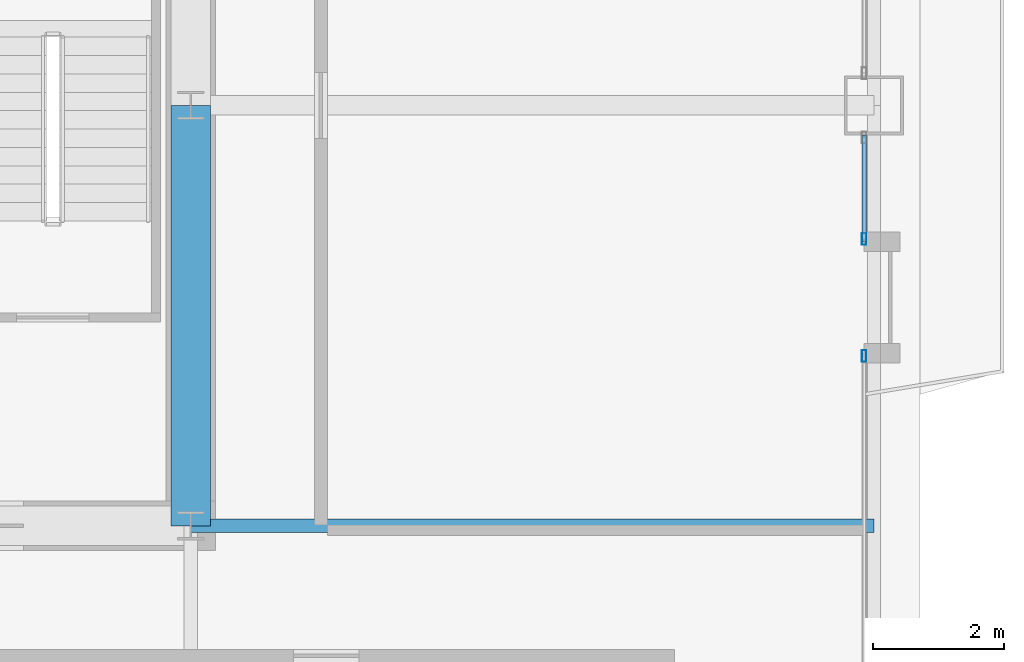
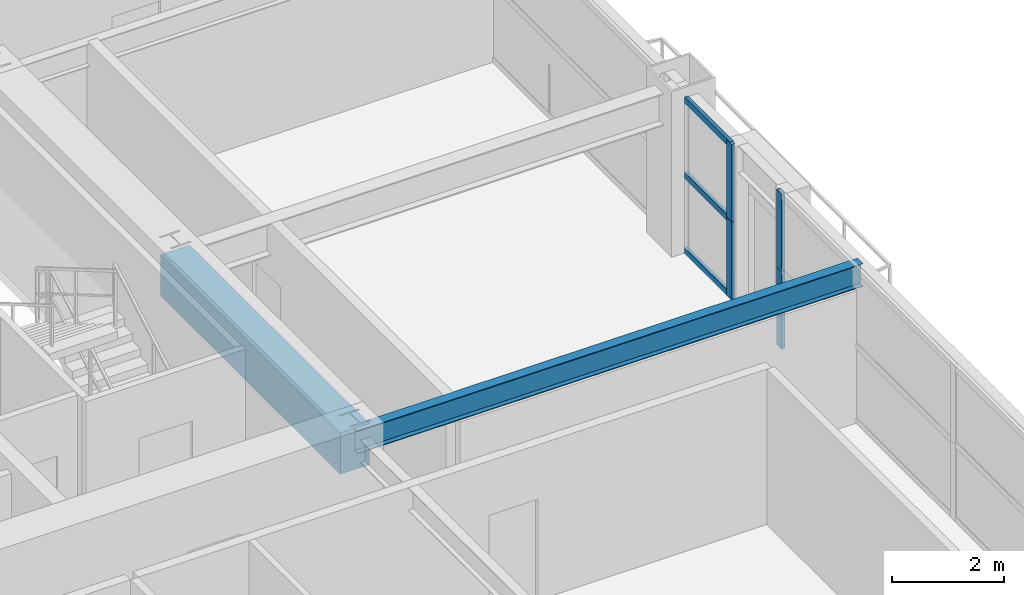
# One storey, part 21 of 43: 7 members, 2 beams, 2 elements without a shape of their own.
"""IFC4 building model written with IfcOpenShell, lengths in metres."""

import ifcopenshell
import ifcopenshell.guid

model = None  # the IFC model being written
_history = None  # IfcOwnerHistory: only IFC2X3 demands one
_inside = {}  # id of a spatial element -> (the spatial element, [elements in it])
_under = {}  # id of a project, library or spatial element -> (it, [spatial elements below it])
_declared = {}  # id of a project -> (the project, [libraries it declares])
_typed = {}  # id of a type object -> (the type object, [elements of that type])
_made_of = {}  # id of a material, layer set ... -> (it, [elements and type objects made of it])


def new_model(schema):
    """Start an empty IFC model of exactly this schema.

    Asked for "IFC4X3", IfcOpenShell would pick the latest addendum, in which some entities
    have other attributes; the version numbers below select the first issue.
    IFC2X3 requires an IfcOwnerHistory on every rooted entity: one is made here for all.
    """
    global model, _history
    if schema == "IFC4X3":
        model = ifcopenshell.file(schema_version=(4, 3, 0, 0))
    else:
        model = ifcopenshell.file(schema=schema)
    _inside.clear()
    _under.clear()
    _declared.clear()
    _typed.clear()
    _made_of.clear()
    _history = None
    if model.schema == "IFC2X3":
        org = make("IfcOrganization", Name="unknown")
        user = make(
            "IfcPersonAndOrganization",
            ThePerson=make("IfcPerson", FamilyName="unknown"),
            TheOrganization=org,
        )
        app = make(
            "IfcApplication",
            ApplicationDeveloper=org,
            Version="unknown",
            ApplicationFullName="unknown",
            ApplicationIdentifier="unknown",
        )
        _history = make(
            "IfcOwnerHistory",
            OwningUser=user,
            OwningApplication=app,
            ChangeAction="ADDED",
            CreationDate=0,
        )
    return model


def make(cls, **values):
    """One entity of the class cls with the attributes given. An attribute that is None is left unset."""
    return model.create_entity(
        cls, **{name: value for name, value in values.items() if value is not None}
    )


def rooted(cls, **values):
    """An entity with a GlobalId (a new one), such as an element, a storey or a relation."""
    return make(cls, GlobalId=ifcopenshell.guid.new(), OwnerHistory=_history, **values)


def si_unit(unit_type, name, prefix=None):
    """IfcSIUnit, for example si_unit("LENGTHUNIT", "METRE", prefix="MILLI")."""
    return make("IfcSIUnit", UnitType=unit_type, Prefix=prefix, Name=name)


def assignment(units):
    """IfcUnitAssignment: the units of a project."""
    return None if units is None else make("IfcUnitAssignment", Units=units)


def point(xyz):
    """IfcCartesianPoint."""
    return None if xyz is None else make("IfcCartesianPoint", Coordinates=xyz)


def direction(xyz):
    """IfcDirection."""
    return None if xyz is None else make("IfcDirection", DirectionRatios=xyz)


def frame(location, z_axis=None, x_axis=None):
    """IfcAxis2Placement3D, a coordinate frame: its origin and axes. An axis left out is left unset."""
    return make(
        "IfcAxis2Placement3D",
        Location=point(location),
        Axis=direction(z_axis),
        RefDirection=direction(x_axis),
    )


def frame_2d(location, x_axis=None):
    """IfcAxis2Placement2D, a coordinate frame in the plane: its origin and x axis."""
    return make(
        "IfcAxis2Placement2D", Location=point(location), RefDirection=direction(x_axis)
    )


def origin():
    """The frame at (0, 0, 0) with its axes left unset."""
    return frame((0.0, 0.0, 0.0))


def origin_2d():
    """The frame at (0, 0) in the plane with its x axis left unset."""
    return frame_2d((0.0, 0.0))


def place(relative_to, where):
    """IfcLocalPlacement: puts the frame where relative to a parent placement (None: the world)."""
    return make(
        "IfcLocalPlacement", PlacementRelTo=relative_to, RelativePlacement=where
    )


def context(
    kind, dimensions, precision=None, world=None, true_north=None, identifier=None
):
    """IfcGeometricRepresentationContext, for example the 3D "Model" context."""
    return make(
        "IfcGeometricRepresentationContext",
        ContextIdentifier=identifier,
        ContextType=kind,
        CoordinateSpaceDimension=dimensions,
        Precision=precision,
        WorldCoordinateSystem=world,
        TrueNorth=true_north,
    )


def subcontext(parent, identifier, kind, view, scale=None):
    """IfcGeometricRepresentationSubContext, for example "Body" below "Model"."""
    return make(
        "IfcGeometricRepresentationSubContext",
        ContextIdentifier=identifier,
        ContextType=kind,
        ParentContext=parent,
        TargetScale=scale,
        TargetView=view,
    )


def project(units=None, contexts=None):
    """IfcProject with its units and contexts."""
    return rooted(
        "IfcProject",
        Name="project",
        RepresentationContexts=contexts,
        UnitsInContext=assignment(units),
    )


def spatial(cls, under=None, at=None, **own):
    """A site, building, storey or space (cls), placed at a placement, below another one or the project."""
    s = rooted(cls, ObjectPlacement=at, **own)
    if under is not None:
        _under.setdefault(under.id(), (under, []))[1].append(s)
    return s


def profile(cls, at=None, kind="AREA", **sizes):
    """A parametric profile (cls). Its sizes go by their IFC names, for example OverallWidth=200.0."""
    return make(cls, ProfileType=kind, Position=at, **sizes)


def rectangle(**sizes):
    """IfcRectangleProfileDef."""
    return profile("IfcRectangleProfileDef", **sizes)


def hollow_rectangle(**sizes):
    """IfcRectangleHollowProfileDef."""
    return profile("IfcRectangleHollowProfileDef", **sizes)


def i_section(**sizes):
    """IfcIShapeProfileDef."""
    return profile("IfcIShapeProfileDef", **sizes)


def extrude(swept, where, along, depth):
    """IfcExtrudedAreaSolid: the profile swept, set in the frame where, extruded along a direction by depth."""
    return make(
        "IfcExtrudedAreaSolid",
        SweptArea=swept,
        Position=where,
        ExtrudedDirection=direction(along),
        Depth=depth,
    )


def shape(context_of_items, identifier, shape_type, items):
    """IfcShapeRepresentation: the items that make up one representation, for example the "Body"."""
    return make(
        "IfcShapeRepresentation",
        ContextOfItems=context_of_items,
        RepresentationIdentifier=identifier,
        RepresentationType=shape_type,
        Items=items,
    )


def source(mapping_origin, context_of_items, identifier, shape_type, items):
    """IfcRepresentationMap: a shape defined once, which mapped items show again and again."""
    return make(
        "IfcRepresentationMap",
        MappingOrigin=mapping_origin,
        MappedRepresentation=shape(context_of_items, identifier, shape_type, items),
    )


def transform(
    local_origin,
    x_axis=None,
    y_axis=None,
    z_axis=None,
    scale=None,
    scale2=None,
    scale3=None,
    uniform=True,
):
    """IfcCartesianTransformationOperator3D, or its non-uniform kind. x_axis, y_axis, z_axis: its Axis1, 2, 3."""
    if uniform:
        return make(
            "IfcCartesianTransformationOperator3D",
            Axis1=direction(x_axis),
            Axis2=direction(y_axis),
            LocalOrigin=point(local_origin),
            Scale=scale,
            Axis3=direction(z_axis),
        )
    return make(
        "IfcCartesianTransformationOperator3DnonUniform",
        Axis1=direction(x_axis),
        Axis2=direction(y_axis),
        LocalOrigin=point(local_origin),
        Scale=scale,
        Axis3=direction(z_axis),
        Scale2=scale2,
        Scale3=scale3,
    )


def mapped(mapping_source, mapping_target):
    """IfcMappedItem: shows the shape of a source again, moved by a transform."""
    return make(
        "IfcMappedItem", MappingSource=mapping_source, MappingTarget=mapping_target
    )


def material(Name=None, Category=None):
    """IfcMaterial."""
    return make("IfcMaterial", Name=Name, Category=Category)


def layer(
    of_material, thickness, ventilated=None, Name=None, Category=None, Priority=None
):
    """IfcMaterialLayer: one layer of a wall or slab, of a material (None: an air gap)."""
    return make(
        "IfcMaterialLayer",
        Material=of_material,
        LayerThickness=thickness,
        IsVentilated=ventilated,
        Name=Name,
        Category=Category,
        Priority=Priority,
    )


def layer_set(layers, Name=None):
    """IfcMaterialLayerSet."""
    return make("IfcMaterialLayerSet", MaterialLayers=layers, LayerSetName=Name)


def material_profile(
    of_material, cross_section, Name=None, Category=None, Priority=None
):
    """IfcMaterialProfile: a cross section and its material."""
    return make(
        "IfcMaterialProfile",
        Name=Name,
        Material=of_material,
        Profile=cross_section,
        Priority=Priority,
        Category=Category,
    )


def profile_set(profiles, Name=None, composite=None):
    """IfcMaterialProfileSet."""
    return make(
        "IfcMaterialProfileSet",
        Name=Name,
        MaterialProfiles=profiles,
        CompositeProfile=composite,
    )


def made_of(thing, what):
    """Note that an element or type object is made of a material, layer set ...; save() writes the relation."""
    if what is not None:
        _made_of.setdefault(what.id(), (what, []))[1].append(thing)
    return thing


def type_object(cls, material=None, **own):
    """A type object (cls), such as IfcWallType, which elements share."""
    return made_of(rooted(cls, **own), material)


def element(
    cls,
    number,
    at=None,
    inside=None,
    cuts=None,
    type_object=None,
    material=None,
    context=None,
    identifier="Body",
    shape_type=None,
    held_by="IfcProductDefinitionShape",
    body=None,
    shapes=None,
    **own,
):
    """One element of the class cls, such as IfcWall. Its Tag is "e" and its number.

    at: its placement. inside: the storey or other place that contains it. cuts: it is an
    opening in that element (IfcRelVoidsElement). A single representation is given by context,
    identifier, shape_type and body (its items); several are given by shapes. held_by: the class
    of the entity that holds the representations. save() writes the other relations.
    """
    e = rooted(cls, Tag="e%d" % number, ObjectPlacement=at, **own)
    if body is not None:
        shapes = [shape(context, identifier, shape_type, body)]
    if shapes is not None:
        e.Representation = make(held_by, Representations=shapes)
    if inside is not None:
        _inside.setdefault(inside.id(), (inside, []))[1].append(e)
    if cuts is not None:
        rooted(
            "IfcRelVoidsElement", RelatingBuildingElement=cuts, RelatedOpeningElement=e
        )
    if type_object is not None:
        _typed.setdefault(type_object.id(), (type_object, []))[1].append(e)
    return made_of(e, material)


def aggregate(whole, parts):
    """IfcRelAggregates: a whole, such as a stair, and the parts it consists of."""
    return rooted("IfcRelAggregates", RelatingObject=whole, RelatedObjects=parts)


def save(model, path):
    """Write the relations noted so far, then the file.

    IfcRelAggregates (storeys below a building ...), IfcRelContainedInSpatialStructure (elements
    in a storey), IfcRelDefinesByType, IfcRelAssociatesMaterial and IfcRelDeclares: one each for
    every whole, place, type object, material and project.
    """
    for whole, parts in _under.values():
        aggregate(whole, parts)
    for where, things in _inside.values():
        rooted(
            "IfcRelContainedInSpatialStructure",
            RelatedElements=things,
            RelatingStructure=where,
        )
    for kind, things in _typed.values():
        rooted("IfcRelDefinesByType", RelatedObjects=things, RelatingType=kind)
    for what, things in _made_of.values():
        rooted("IfcRelAssociatesMaterial", RelatedObjects=things, RelatingMaterial=what)
    for by, libraries in _declared.values():
        rooted("IfcRelDeclares", RelatingContext=by, RelatedDefinitions=libraries)
    model.write(path)


model = new_model("IFC4")

# Units and contexts
model_context = context("Model", 3, precision=1e-05, world=origin(), true_north=direction((0.0, 1.0)))
body_context = subcontext(model_context, "Body", "Model", "MODEL_VIEW")
ifc_project = project(units=[si_unit("LENGTHUNIT", "METRE"), si_unit("AREAUNIT", "SQUARE_METRE"), si_unit("VOLUMEUNIT", "CUBIC_METRE"), si_unit("PLANEANGLEUNIT", "RADIAN"), si_unit("MASSUNIT", "GRAM", prefix="KILO"), si_unit("THERMODYNAMICTEMPERATUREUNIT", "KELVIN"), si_unit("POWERUNIT", "WATT")], contexts=[model_context])

# Site, building, storey
site_placement = place(None, origin())
site = spatial("IfcSite", under=ifc_project, at=site_placement, CompositionType="ELEMENT")
building_placement = place(site_placement, origin())
building = spatial("IfcBuilding", under=site, at=building_placement, Name="Yuzanri Waterfront Tower", CompositionType="ELEMENT")
storey_placement = place(building_placement, frame((0.0, 0.0, 101.0)))
storey = spatial("IfcBuildingStorey", under=building, at=storey_placement, Name="L26", CompositionType="ELEMENT", Elevation=101.0)

# Beams
ifc_material_1 = material(Name="Concrete C60", Category="concrete")
ifc_material_profile_1 = material_profile(ifc_material_1, rectangle(XDim=0.60009765625, YDim=0.89990234375, at=origin_2d()), Name="RC 600x900")
ifc_profile_set_1 = profile_set([ifc_material_profile_1], Name="Concrete C60")
beam_type_1 = type_object("IfcBeamType", Name="Core Coupling Lintel Concrete C60 600x900", PredefinedType="LINTEL", material=ifc_profile_set_1)
shared_shape_1 = source(origin(), body_context, "Body", "SweptSolid", [
    extrude(rectangle(XDim=0.60009765625, YDim=0.89990234375, at=origin_2d()), origin(), (0.0, 0.0, 1.0), 6.400146484375),
])
beam_1_placement = place(storey_placement, frame((50.199951171875, 19.39990234375, 2.929931640625), z_axis=(0.0, 1.0, 0.0), x_axis=(-1.0, 0.0, 0.0)))
element("IfcBeam", 1, at=beam_1_placement, inside=storey, type_object=beam_type_1, Name="L26 Core Tie Beam CE1", PredefinedType="LINTEL", context=body_context, shape_type="MappedRepresentation", body=[
    mapped(shared_shape_1, transform((0.0, 0.0, 0.0), scale=1.0)),
])
ifc_material_2 = material(Name="Steel Q355B", Category="steel")
ifc_material_profile_2 = material_profile(ifc_material_2, i_section(OverallWidth=0.199951171875, OverallDepth=0.5, WebThickness=0.010009765625, FlangeThickness=0.01611328125, at=origin_2d()), Name="HN 500x200x10x16")
ifc_profile_set_2 = profile_set([ifc_material_profile_2], Name="Steel Q355B")
beam_type_2 = type_object("IfcBeamType", Name="Secondary Floor Beam Q355B HN 500x200", PredefinedType="BEAM", material=ifc_profile_set_2)
shared_shape_2 = source(origin(), body_context, "Body", "SweptSolid", [
    extrude(i_section(OverallWidth=0.199951171875, OverallDepth=0.5, WebThickness=0.010009765625, FlangeThickness=0.01611328125, at=origin_2d()), origin(), (0.0, 0.0, 1.0), 10.400146484375),
])
beam_2_placement = place(storey_placement, frame((50.199951171875, 19.39990234375, 3.1298828125), z_axis=(1.0, 0.0, 0.0), x_axis=(0.0, 1.0, 0.0)))
element("IfcBeam", 2, at=beam_2_placement, inside=storey, type_object=beam_type_2, Name="L26 East-South Core Line Beam", PredefinedType="BEAM", context=body_context, shape_type="MappedRepresentation", body=[
    mapped(shared_shape_2, transform((0.0, 0.0, 0.0), scale=1.0)),
])

# Curtain wall, members
ifc_material_3 = material(Name="Anodized Architectural Bronze", Category="metal")
ifc_layer = layer(ifc_material_3, 0.159912109375)
ifc_layer_set = layer_set([ifc_layer], Name="Anodized Architectural Bronze")
curtain_wall_type = type_object("IfcCurtainWallType", Name="Anodized Bronze Hotel Upper-Tier Solar-Control Unitized Curtain Wall 7800", PredefinedType="NOTDEFINED", material=ifc_layer_set)
curtain_wall_1_placement = place(storey_placement, origin())
curtain_wall_1 = element("IfcCurtainWall", 3, at=curtain_wall_1_placement, inside=storey, type_object=curtain_wall_type, Name="L26 Curtain Wall CW-L26-EL1", PredefinedType="NOTDEFINED")
ifc_material_4 = material(Name="Anodized Architectural Bronze", Category="metal")
ifc_material_profile_3 = material_profile(ifc_material_4, hollow_rectangle(XDim=0.070068359375, YDim=0.179931640625, WallThickness=0.00390625, at=origin_2d()), Name="CWM 70x180")
ifc_profile_set_3 = profile_set([ifc_material_profile_3], Name="Anodized Architectural Bronze")
member_type_1 = type_object("IfcMemberType", Name="Anodized Bronze Standard Curtain-Wall Mullion 70x180", PredefinedType="MULLION", material=ifc_profile_set_3)
shared_shape_3 = source(origin(), body_context, "Body", "SweptSolid", [
    extrude(hollow_rectangle(XDim=0.070068359375, YDim=0.179931640625, WallThickness=0.00390625, at=origin_2d()), origin(), (0.0, 0.0, 1.0), 1.68798828125),
])
member_1_placement = place(storey_placement, frame((60.449951171875, 21.985107421875, 0.0), z_axis=(0.0, 0.0, 1.0), x_axis=(1.0, 0.0, 0.0)))
member_1 = element("IfcMember", 4, at=member_1_placement, type_object=member_type_1, Name="CW-L26-EL1 Lower Mullion 02", PredefinedType="MULLION", context=body_context, shape_type="MappedRepresentation", body=[
    mapped(shared_shape_3, transform((0.0, 0.0, 0.0), scale=1.0)),
])
member_2_placement = place(storey_placement, frame((60.449951171875, 21.985107421875, 1.69189453125), z_axis=(0.0, 0.0, 1.0), x_axis=(1.0, 0.0, 0.0)))
member_2 = element("IfcMember", 5, at=member_2_placement, type_object=member_type_1, Name="CW-L26-EL1 Upper Mullion 02", PredefinedType="MULLION", context=body_context, shape_type="MappedRepresentation", body=[
    mapped(shared_shape_3, transform((0.0, 0.0, 0.0), scale=1.0)),
])
aggregate(curtain_wall_1, [member_1, member_2])

curtain_wall_2_placement = place(storey_placement, origin())
curtain_wall_2 = element("IfcCurtainWall", 6, at=curtain_wall_2_placement, inside=storey, type_object=curtain_wall_type, Name="L26 Curtain Wall CW-L26-EL2", PredefinedType="NOTDEFINED")
member_3_placement = place(storey_placement, frame((60.449951171875, 23.764892578125, 0.0), z_axis=(0.0, 0.0, 1.0), x_axis=(1.0, 0.0, 0.0)))
member_3 = element("IfcMember", 7, at=member_3_placement, type_object=member_type_1, Name="CW-L26-EL2 Lower Mullion 00", PredefinedType="MULLION", context=body_context, shape_type="MappedRepresentation", body=[
    mapped(shared_shape_3, transform((0.0, 0.0, 0.0), scale=1.0)),
])
member_4_placement = place(storey_placement, frame((60.449951171875, 23.764892578125, 1.69189453125), z_axis=(0.0, 0.0, 1.0), x_axis=(1.0, 0.0, 0.0)))
member_4 = element("IfcMember", 8, at=member_4_placement, type_object=member_type_1, Name="CW-L26-EL2 Upper Mullion 00", PredefinedType="MULLION", context=body_context, shape_type="MappedRepresentation", body=[
    mapped(shared_shape_3, transform((0.0, 0.0, 0.0), scale=1.0)),
])
ifc_material_5 = material(Name="Anodized Architectural Bronze", Category="metal")
ifc_material_profile_4 = material_profile(ifc_material_5, hollow_rectangle(XDim=0.070068359375, YDim=0.135009765625, WallThickness=0.00341796875, at=origin_2d()), Name="CWT 70x135")
ifc_profile_set_4 = profile_set([ifc_material_profile_4], Name="Anodized Architectural Bronze")
member_type_2 = type_object("IfcMemberType", Name="Anodized Bronze Standard Curtain-Wall Transom 70x135", PredefinedType="USERDEFINED", material=ifc_profile_set_4)
shared_shape_4 = source(origin(), body_context, "Body", "SweptSolid", [
    extrude(hollow_rectangle(XDim=0.070068359375, YDim=0.135009765625, WallThickness=0.00341796875, at=origin_2d()), origin(), (0.0, 0.0, 1.0), 1.625),
])
member_5_placement = place(storey_placement, frame((60.449951171875, 23.72509765625, 0.050048828125), z_axis=(0.0, 1.0, 0.0), x_axis=(-1.0, 0.0, 0.0)))
member_5 = element("IfcMember", 9, at=member_5_placement, type_object=member_type_2, Name="CW-L26-EL2 Transom 1", ObjectType="TRANSOM", PredefinedType="USERDEFINED", context=body_context, shape_type="MappedRepresentation", body=[
    mapped(shared_shape_4, transform((0.0, 0.0, 0.0), scale=1.0)),
])
member_6_placement = place(storey_placement, frame((60.449951171875, 23.72509765625, 1.68994140625), z_axis=(0.0, 1.0, 0.0), x_axis=(-1.0, 0.0, 0.0)))
member_6 = element("IfcMember", 10, at=member_6_placement, type_object=member_type_2, Name="CW-L26-EL2 Transom 2", ObjectType="TRANSOM", PredefinedType="USERDEFINED", context=body_context, shape_type="MappedRepresentation", body=[
    mapped(shared_shape_4, transform((0.0, 0.0, 0.0), scale=1.0)),
])
member_7_placement = place(storey_placement, frame((60.449951171875, 23.72509765625, 3.330078125), z_axis=(0.0, 1.0, 0.0), x_axis=(-1.0, 0.0, 0.0)))
member_7 = element("IfcMember", 11, at=member_7_placement, type_object=member_type_2, Name="CW-L26-EL2 Transom 3", ObjectType="TRANSOM", PredefinedType="USERDEFINED", context=body_context, shape_type="MappedRepresentation", body=[
    mapped(shared_shape_4, transform((0.0, 0.0, 0.0), scale=1.0)),
])
aggregate(curtain_wall_2, [member_3, member_4, member_5, member_6, member_7])

save(model, "model.ifc")
